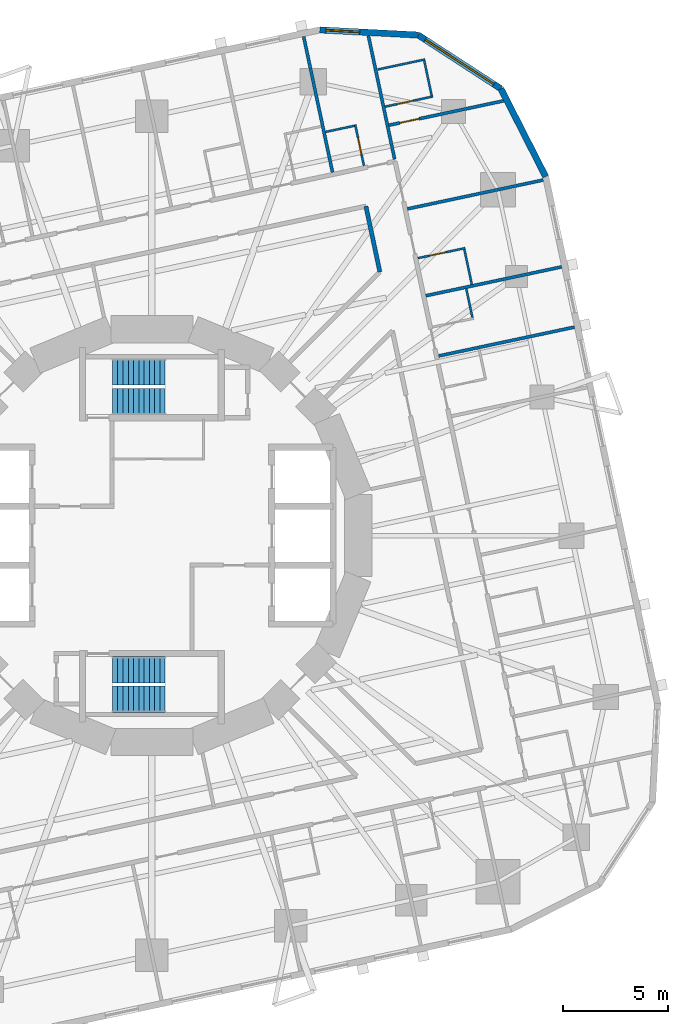
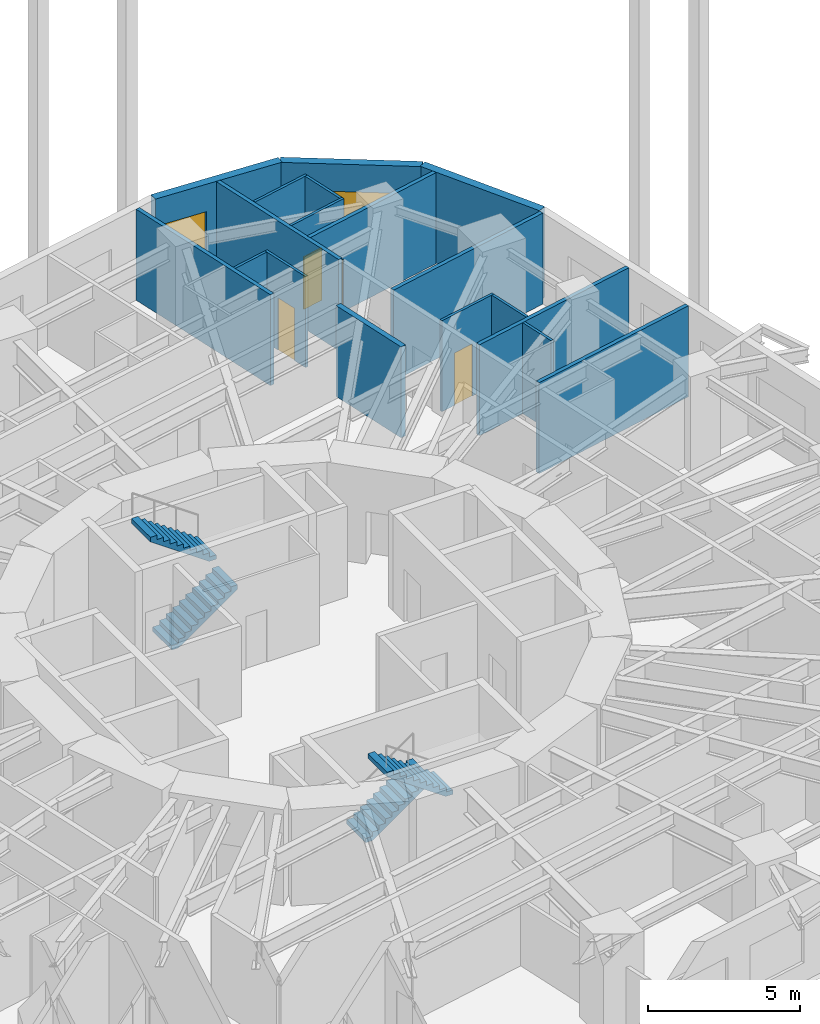
# One storey, part 11 of 12: 18 walls, 4 doors, 4 stair flights, 2 windows, 6 openings, 2 elements without a shape of their own.
"""IFC4 building model written with IfcOpenShell, lengths in metres."""

from ifc_helpers import new_model, si_unit, direction, frame, frame_2d, origin, place, context, subcontext, project, spatial, polyline, rectangle, outline, extrude, material, layer, layer_set, type_object, element, fill, aggregate, save


model = new_model("IFC4")

# Units and contexts
model_context = context("Model", 3, precision=1e-05, world=origin(), true_north=direction((0.0, 1.0)))
body_context = subcontext(model_context, "Body", "Model", "MODEL_VIEW")
ifc_project = project(units=[si_unit("LENGTHUNIT", "METRE"), si_unit("AREAUNIT", "SQUARE_METRE"), si_unit("VOLUMEUNIT", "CUBIC_METRE"), si_unit("PLANEANGLEUNIT", "RADIAN"), si_unit("MASSUNIT", "GRAM", prefix="KILO")], contexts=[model_context])

# Site, building, storey
site_placement = place(None, origin())
site = spatial("IfcSite", under=ifc_project, at=site_placement, CompositionType="ELEMENT")
building_placement = place(site_placement, origin())
building = spatial("IfcBuilding", under=site, at=building_placement, Name="Nakasero Lantern House", CompositionType="ELEMENT")
storey_placement = place(building_placement, frame((0.0, 0.0, 101.14990234375)))
storey = spatial("IfcBuildingStorey", under=building, at=storey_placement, Name="L24", CompositionType="ELEMENT", Elevation=101.14990234375)

# Walls
ifc_material_1 = material(Name="Blockwork", Category="masonry")
ifc_layer_1 = layer(ifc_material_1, 0.199951171875)
ifc_layer_set_1 = layer_set([ifc_layer_1], Name="Corridor wall 200")
wall_type_1 = type_object("IfcWallType", Name="Corridor wall 200", PredefinedType="PARTITIONING", material=ifc_layer_set_1)
wall_1_placement = place(storey_placement, frame((10.831787109375, 12.52880859375, 0.0), z_axis=(0.0, 0.0, 1.0), x_axis=(-0.2079382126, 0.978141962979, 0.0)))
element("IfcWall", 1, at=wall_1_placement, inside=storey, type_object=wall_type_1, Name="Corridor wall L24 IW0-1", PredefinedType="PARTITIONING", context=body_context, shape_type="SweptSolid", body=[
    extrude(rectangle(XDim=3.197021484375, YDim=0.199951171875, at=frame_2d((1.5986328125, 0.0))), origin(), (0.0, 0.0, 1.0), 3.650146484375),
])
ifc_material_2 = material(Name="Blockwork", Category="masonry")
ifc_layer_2 = layer(ifc_material_2, 0.10009765625)
ifc_layer_set_2 = layer_set([ifc_layer_2], Name="En-suite wall 100")
wall_type_2 = type_object("IfcWallType", Name="En-suite wall 100", PredefinedType="PARTITIONING", material=ifc_layer_set_2)
wall_2_placement = place(storey_placement, frame((15.228271484375, 10.36279296875, 0.0), z_axis=(0.0, 0.0, 1.0), x_axis=(-0.207873355681, 0.978155748334, 0.0)))
element("IfcWall", 2, at=wall_2_placement, inside=storey, type_object=wall_type_2, Name="En-suite wall L24 EE0-06", PredefinedType="PARTITIONING", context=body_context, shape_type="SweptSolid", body=[
    extrude(rectangle(XDim=1.39990234375, YDim=0.10009765625, at=frame_2d((0.699951171875, 0.0))), origin(), (0.0, 0.0, 1.0), 3.650146484375),
])

# Wall, opening, door
wall_3_placement = place(storey_placement, frame((12.634765625, 13.185302734375, 0.0), z_axis=(0.0, 0.0, 1.0), x_axis=(0.978141312374, 0.207941273027, 0.0)))
wall_3 = element("IfcWall", 3, at=wall_3_placement, inside=storey, type_object=wall_type_2, Name="En-suite wall L24 ES0-07", PredefinedType="PARTITIONING", context=body_context, shape_type="SweptSolid", body=[
    extrude(rectangle(XDim=2.300048828125, YDim=0.10009765625, at=frame_2d((1.14990234375, 0.0))), origin(), (0.0, 0.0, 1.0), 3.650146484375),
])
opening_1_placement = place(wall_3_placement, frame((0.550048828125, 0.0, 0.0)))
opening_1 = element("IfcOpeningElement", 4, at=opening_1_placement, cuts=wall_3, Name="Opening D02", PredefinedType="OPENING", context=body_context, shape_type="SweptSolid", body=[
    extrude(rectangle(XDim=0.800048828125, YDim=2.10009765625, at=frame_2d((0.39990234375, 1.050048828125))), frame((0.0, 0.070068359375, 0.0), z_axis=(0.0, -1.0, 0.0), x_axis=(1.0, 0.0, 0.0)), (0.0, 0.0, 1.0), 0.14013671875),
])
ifc_material_3 = material(Name="Timber C24", Category="wood")
door_type_1 = type_object("IfcDoorType", Name="En-suite door 800", OperationType="SINGLE_SWING_RIGHT", PredefinedType="DOOR", material=ifc_material_3)
door_1_placement = place(opening_1_placement, origin())
door_1 = element("IfcDoor", 5, at=door_1_placement, inside=storey, type_object=door_type_1, Name="Door L24 DE0-07", OperationType="SINGLE_SWING_LEFT", OverallHeight=2.10009765625, OverallWidth=0.800048828125, PredefinedType="DOOR", context=body_context, shape_type="SweptSolid", body=[
    extrude(rectangle(XDim=0.800048828125, YDim=2.10009765625, at=frame_2d((0.39990234375, 1.050048828125))), frame((0.0, 0.02490234375, 0.0), z_axis=(0.0, -1.0, 0.0), x_axis=(1.0, 0.0, 0.0)), (0.0, 0.0, 1.0), 0.050048828125),
])
fill(opening_1, door_1)

# Wall
wall_4_placement = place(storey_placement, frame((15.199462890625, 11.94140625, 0.0), z_axis=(0.0, 0.0, 1.0), x_axis=(-0.207949787024, 0.97813950236, 0.0)))
element("IfcWall", 6, at=wall_4_placement, inside=storey, type_object=wall_type_2, Name="En-suite wall L24 EE0-07", PredefinedType="PARTITIONING", context=body_context, shape_type="SweptSolid", body=[
    extrude(rectangle(XDim=1.699951171875, YDim=0.10009765625, at=frame_2d((0.85009765625, 0.0))), origin(), (0.0, 0.0, 1.0), 3.650146484375),
])

# Wall, opening, door
wall_5_placement = place(storey_placement, frame((11.069091796875, 20.382568359375, 0.0), z_axis=(0.0, 0.0, 1.0), x_axis=(0.978136257952, 0.207965047255, 0.0)))
wall_5 = element("IfcWall", 7, at=wall_5_placement, inside=storey, type_object=wall_type_2, Name="En-suite wall L24 ES0-08", PredefinedType="PARTITIONING", context=body_context, shape_type="SweptSolid", body=[
    extrude(rectangle(XDim=2.3349609375, YDim=0.10009765625, at=frame_2d((1.16748046875, 0.0))), origin(), (0.0, 0.0, 1.0), 3.650146484375),
])
opening_2_placement = place(wall_5_placement, frame((0.5849609375, 0.0, 0.0)))
opening_2 = element("IfcOpeningElement", 8, at=opening_2_placement, cuts=wall_5, Name="Opening D02", PredefinedType="OPENING", context=body_context, shape_type="SweptSolid", body=[
    extrude(rectangle(XDim=0.800048828125, YDim=2.10009765625, at=frame_2d((0.39990234375, 1.050048828125))), frame((0.0, 0.070068359375, 0.0), z_axis=(0.0, -1.0, 0.0), x_axis=(1.0, 0.0, 0.0)), (0.0, 0.0, 1.0), 0.14013671875),
])
door_2_placement = place(opening_2_placement, origin())
door_2 = element("IfcDoor", 9, at=door_2_placement, inside=storey, type_object=door_type_1, Name="Door L24 DE0-08", OperationType="SINGLE_SWING_LEFT", OverallHeight=2.10009765625, OverallWidth=0.800048828125, PredefinedType="DOOR", context=body_context, shape_type="SweptSolid", body=[
    extrude(rectangle(XDim=0.800048828125, YDim=2.10009765625, at=frame_2d((0.39990234375, 1.050048828125))), frame((0.0, 0.02490234375, 0.0), z_axis=(0.0, -1.0, 0.0), x_axis=(1.0, 0.0, 0.0)), (0.0, 0.0, 1.0), 0.050048828125),
])
fill(opening_2, door_2)

# Walls
wall_6_placement = place(storey_placement, frame((13.293701171875, 20.906494140625, 0.0), z_axis=(0.0, 0.0, 1.0), x_axis=(-0.207812379357, 0.978168704767, 0.0)))
element("IfcWall", 10, at=wall_6_placement, inside=storey, type_object=wall_type_2, Name="En-suite wall L24 EE0-08", PredefinedType="PARTITIONING", context=body_context, shape_type="SweptSolid", body=[
    extrude(rectangle(XDim=1.699951171875, YDim=0.10009765625, at=frame_2d((0.85009765625, 0.0))), origin(), (0.0, 0.0, 1.0), 3.650146484375),
])
wall_7_placement = place(storey_placement, frame((10.72900390625, 22.150634765625, 0.0), z_axis=(0.0, 0.0, 1.0), x_axis=(0.978162897375, 0.207839712757, 0.0)))
element("IfcWall", 11, at=wall_7_placement, inside=storey, type_object=wall_type_2, Name="En-suite wall L24 EV0-08", PredefinedType="PARTITIONING", context=body_context, shape_type="SweptSolid", body=[
    extrude(rectangle(XDim=2.300048828125, YDim=0.10009765625, at=frame_2d((1.14990234375, 0.0))), origin(), (0.0, 0.0, 1.0), 3.650146484375),
])

# Wall, opening, door
wall_8_placement = place(storey_placement, frame((10.07421875, 17.57861328125, 0.0), z_axis=(0.0, 0.0, 1.0), x_axis=(-0.207886494942, 0.978152955943, 0.0)))
wall_8 = element("IfcWall", 12, at=wall_8_placement, inside=storey, type_object=wall_type_2, Name="En-suite wall L24 ES1-00", PredefinedType="PARTITIONING", context=body_context, shape_type="SweptSolid", body=[
    extrude(rectangle(XDim=2.0, YDim=0.10009765625, at=frame_2d((1.0, 0.0))), origin(), (0.0, 0.0, 1.0), 3.650146484375),
])
opening_3_placement = place(wall_8_placement, frame((0.550048828125, 0.0, 0.0)))
opening_3 = element("IfcOpeningElement", 13, at=opening_3_placement, cuts=wall_8, Name="Opening D02", PredefinedType="OPENING", context=body_context, shape_type="SweptSolid", body=[
    extrude(rectangle(XDim=0.800048828125, YDim=2.10009765625, at=frame_2d((0.39990234375, 1.050048828125))), frame((0.0, 0.070068359375, 0.0), z_axis=(0.0, -1.0, 0.0), x_axis=(1.0, 0.0, 0.0)), (0.0, 0.0, 1.0), 0.14013671875),
])
door_3_placement = place(opening_3_placement, origin())
door_3 = element("IfcDoor", 14, at=door_3_placement, inside=storey, type_object=door_type_1, Name="Door L24 DE1-00", OperationType="SINGLE_SWING_LEFT", OverallHeight=2.10009765625, OverallWidth=0.800048828125, PredefinedType="DOOR", context=body_context, shape_type="SweptSolid", body=[
    extrude(rectangle(XDim=0.800048828125, YDim=2.10009765625, at=frame_2d((0.39990234375, 1.050048828125))), frame((0.0, 0.02490234375, 0.0), z_axis=(0.0, -1.0, 0.0), x_axis=(1.0, 0.0, 0.0)), (0.0, 0.0, 1.0), 0.050048828125),
])
fill(opening_3, door_3)

# Walls
wall_9_placement = place(storey_placement, frame((9.619873046875, 19.4755859375, 0.0), z_axis=(0.0, 0.0, 1.0), x_axis=(-0.978155748334, -0.207873355681, 0.0)))
element("IfcWall", 15, at=wall_9_placement, inside=storey, type_object=wall_type_2, Name="En-suite wall L24 EE1-00", PredefinedType="PARTITIONING", context=body_context, shape_type="SweptSolid", body=[
    extrude(rectangle(XDim=1.39990234375, YDim=0.10009765625, at=frame_2d((0.699951171875, 0.0))), origin(), (0.0, 0.0, 1.0), 3.650146484375),
])
ifc_material_4 = material(Name="Aluminium rainscreen on blockwork", Category="masonry")
ifc_layer_3 = layer(ifc_material_4, 0.300048828125)
ifc_layer_set_3 = layer_set([ifc_layer_3], Name="Facade wall 300")
wall_type_3 = type_object("IfcWallType", Name="Facade wall 300", PredefinedType="SOLIDWALL", material=ifc_layer_set_3)
wall_10_placement = place(storey_placement, frame((18.711181640625, 17.063232421875, 0.0), z_axis=(0.0, 0.0, 1.0), x_axis=(-0.453975745332, 0.89101404178, 0.0)))
element("IfcWall", 16, at=wall_10_placement, inside=storey, type_object=wall_type_3, Name="Facade wall L24 FW0C1", PredefinedType="SOLIDWALL", context=body_context, shape_type="SweptSolid", body=[
    extrude(rectangle(XDim=4.6845703125, YDim=0.300048828125, at=frame_2d((2.34228515625, 0.0))), origin(), (0.0, 0.0, 1.0), 3.650146484375),
])

# Wall, opening, window
wall_11_placement = place(storey_placement, frame((16.58447265625, 21.2373046875, 0.0), z_axis=(0.0, 0.0, 1.0), x_axis=(-0.838692381994, 0.544605442853, 0.0)))
wall_11 = element("IfcWall", 17, at=wall_11_placement, inside=storey, type_object=wall_type_3, Name="Facade wall L24 FW0C2", PredefinedType="SOLIDWALL", context=body_context, shape_type="SweptSolid", body=[
    extrude(rectangle(XDim=4.6845703125, YDim=0.300048828125, at=frame_2d((2.34228515625, 0.0))), origin(), (0.0, 0.0, 1.0), 3.650146484375),
])
opening_4_placement = place(wall_11_placement, frame((0.39990234375, 0.0, 0.75)))
opening_4 = element("IfcOpeningElement", 18, at=opening_4_placement, cuts=wall_11, Name="Opening W238", PredefinedType="OPENING", context=body_context, shape_type="SweptSolid", body=[
    extrude(rectangle(XDim=3.885009765625, YDim=1.800048828125, at=frame_2d((1.9423828125, 0.89990234375))), frame((0.0, 0.169921875, 0.0), z_axis=(0.0, -1.0, 0.0), x_axis=(1.0, 0.0, 0.0)), (0.0, 0.0, 1.0), 0.340087890625),
])
ifc_material_5 = material(Name="Aluminium 6063-T6 and glass", Category="aluminium")
window_type_1 = type_object("IfcWindowType", Name="Corner window 3885x1800", PartitioningType="SINGLE_PANEL", PredefinedType="WINDOW", material=ifc_material_5)
window_1_placement = place(opening_4_placement, origin())
window_1 = element("IfcWindow", 19, at=window_1_placement, inside=storey, type_object=window_type_1, Name="Window L24 WC0", OverallHeight=1.800048828125, OverallWidth=3.885009765625, PartitioningType="SINGLE_PANEL", PredefinedType="WINDOW", context=body_context, shape_type="SweptSolid", body=[
    extrude(rectangle(XDim=3.885009765625, YDim=1.800048828125, at=frame_2d((1.9423828125, 0.89990234375))), frame((0.0, 0.030029296875, 0.0), z_axis=(0.0, -1.0, 0.0), x_axis=(1.0, 0.0, 0.0)), (0.0, 0.0, 1.0), 0.06005859375),
])
fill(opening_4, window_1)

wall_12_placement = place(storey_placement, frame((12.655517578125, 23.78857421875, 0.0), z_axis=(0.0, 0.0, 1.0), x_axis=(-0.998630039879, 0.052326317, 0.0)))
wall_12 = element("IfcWall", 20, at=wall_12_placement, inside=storey, type_object=wall_type_3, Name="Facade wall L24 FW0C3", PredefinedType="SOLIDWALL", context=body_context, shape_type="SweptSolid", body=[
    extrude(rectangle(XDim=4.684326171875, YDim=0.300048828125, at=frame_2d((2.34228515625, 0.0))), origin(), (0.0, 0.0, 1.0), 3.650146484375),
])
opening_5_placement = place(wall_12_placement, frame((2.784912109375, 0.0, 0.75)))
opening_5 = element("IfcOpeningElement", 21, at=opening_5_placement, cuts=wall_12, Name="Opening W01", PredefinedType="OPENING", context=body_context, shape_type="SweptSolid", body=[
    extrude(rectangle(XDim=1.60009765625, YDim=1.800048828125, at=frame_2d((0.800048828125, 0.89990234375))), frame((0.0, 0.169921875, 0.0), z_axis=(0.0, -1.0, 0.0), x_axis=(1.0, 0.0, 0.0)), (0.0, 0.0, 1.0), 0.340087890625),
])
ifc_material_6 = material(Name="Aluminium 6063-T6 and glass", Category="aluminium")
window_type_2 = type_object("IfcWindowType", Name="Bedroom window 1600x1800", PartitioningType="SINGLE_PANEL", PredefinedType="WINDOW", material=ifc_material_6)
window_2_placement = place(opening_5_placement, origin())
window_2 = element("IfcWindow", 22, at=window_2_placement, inside=storey, type_object=window_type_2, Name="Window L24 WN1-00", OverallHeight=1.800048828125, OverallWidth=1.60009765625, PartitioningType="SINGLE_PANEL", PredefinedType="WINDOW", context=body_context, shape_type="SweptSolid", body=[
    extrude(rectangle(XDim=1.60009765625, YDim=1.800048828125, at=frame_2d((0.800048828125, 0.89990234375))), frame((0.0, 0.030029296875, 0.0), z_axis=(0.0, -1.0, 0.0), x_axis=(1.0, 0.0, 0.0)), (0.0, 0.0, 1.0), 0.06005859375),
])
fill(opening_5, window_2)

# Walls
ifc_material_7 = material(Name="Blockwork", Category="masonry")
ifc_layer_4 = layer(ifc_material_7, 0.14990234375)
ifc_layer_set_4 = layer_set([ifc_layer_4], Name="Party wall 150")
wall_type_4 = type_object("IfcWallType", Name="Party wall 150", PredefinedType="PARTITIONING", material=ifc_layer_set_4)
for number, where, z_axis, x_axis, name in (
    (23, (13.62255859375, 8.537841796875, 0.0), (0.0, 0.0, 1.0), (0.97815236361, 0.207889281984, 0.0), "Party wall L24 PW0-06"),
    (24, (13.01416015625, 11.400146484375, 0.0), (0.0, 0.0, 1.0), (0.978144841009, 0.207924673876, 0.0), "Party wall L24 PW0-07"),
    (25, (12.13720703125, 15.526123046875, 0.0), (0.0, 0.0, 1.0), (0.978144841009, 0.207924673876, 0.0), "Party wall L24 PW0-08"),
):
    element("IfcWall", number, at=place(storey_placement, frame(where, z_axis=z_axis, x_axis=x_axis)), inside=storey, type_object=wall_type_4, Name=name, PredefinedType="PARTITIONING", context=body_context, shape_type="SweptSolid", body=[
        extrude(rectangle(XDim=6.60009765625, YDim=0.14990234375, at=frame_2d((3.300048828125, 0.0))), origin(), (0.0, 0.0, 1.0), 3.650146484375),
    ])

# Wall, opening, door
wall_13_placement = place(storey_placement, frame((11.256103515625, 19.502197265625, 0.0), z_axis=(0.0, 0.0, 1.0), x_axis=(0.978142361087, 0.207936339891, 0.0)))
wall_13 = element("IfcWall", 26, at=wall_13_placement, inside=storey, type_object=wall_type_4, Name="Party wall L24 PC0", PredefinedType="PARTITIONING", context=body_context, shape_type="SweptSolid", body=[
    extrude(rectangle(XDim=5.570068359375, YDim=0.14990234375, at=frame_2d((2.78515625, 0.0))), origin(), (0.0, 0.0, 1.0), 3.650146484375),
])
opening_6_placement = place(wall_13_placement, frame((0.534912109375, 0.0, 0.0)))
opening_6 = element("IfcOpeningElement", 27, at=opening_6_placement, cuts=wall_13, Name="Opening D01", PredefinedType="OPENING", context=body_context, shape_type="SweptSolid", body=[
    extrude(rectangle(XDim=0.949951171875, YDim=2.10009765625, at=frame_2d((0.47509765625, 1.050048828125))), frame((0.0, 0.094970703125, 0.0), z_axis=(0.0, -1.0, 0.0), x_axis=(1.0, 0.0, 0.0)), (0.0, 0.0, 1.0), 0.18994140625),
])
ifc_material_8 = material(Name="Timber C24", Category="wood")
door_type_2 = type_object("IfcDoorType", Name="Bedroom door FD30S 950", OperationType="SINGLE_SWING_LEFT", PredefinedType="DOOR", material=ifc_material_8)
door_4_placement = place(opening_6_placement, origin())
door_4 = element("IfcDoor", 28, at=door_4_placement, inside=storey, type_object=door_type_2, Name="Door L24 DC0", OperationType="SINGLE_SWING_LEFT", OverallHeight=2.10009765625, OverallWidth=0.949951171875, PredefinedType="DOOR", context=body_context, shape_type="SweptSolid", body=[
    extrude(rectangle(XDim=0.949951171875, YDim=2.10009765625, at=frame_2d((0.47509765625, 1.050048828125))), frame((0.0, 0.02490234375, 0.0), z_axis=(0.0, -1.0, 0.0), x_axis=(1.0, 0.0, 0.0)), (0.0, 0.0, 1.0), 0.050048828125),
])
fill(opening_6, door_4)

# Walls
wall_14_placement = place(storey_placement, frame((11.53271484375, 17.888671875, 0.0), z_axis=(0.0, 0.0, 1.0), x_axis=(-0.207886494942, 0.978152955943, 0.0)))
element("IfcWall", 29, at=wall_14_placement, inside=storey, type_object=wall_type_4, Name="Party wall L24 PW1-00", PredefinedType="PARTITIONING", context=body_context, shape_type="SweptSolid", body=[
    extrude(rectangle(XDim=6.0, YDim=0.14990234375, at=frame_2d((3.0, 0.0))), origin(), (0.0, 0.0, 1.0), 3.650146484375),
])
wall_15_placement = place(storey_placement, frame((8.58251953125, 17.26171875, 0.0), z_axis=(0.0, 0.0, 1.0), x_axis=(-0.207932197326, 0.978143241716, 0.0)))
element("IfcWall", 30, at=wall_15_placement, inside=storey, type_object=wall_type_4, Name="Party wall L24 PW1-01", PredefinedType="PARTITIONING", context=body_context, shape_type="SweptSolid", body=[
    extrude(rectangle(XDim=6.599853515625, YDim=0.14990234375, at=frame_2d((3.2998046875, 0.0))), origin(), (0.0, 0.0, 1.0), 3.650146484375),
])

# Stair, stair flights
ifc_material_9 = material(Name="Concrete C40/50", Category="concrete")
stair_type_1 = type_object("IfcStairType", Name="Escape stair ST1 22 risers", PredefinedType="HALF_TURN_STAIR", material=ifc_material_9)
stair_1_placement = place(storey_placement, origin())
stair_1 = element("IfcStair", 31, at=stair_1_placement, inside=storey, type_object=stair_type_1, Name="Escape stair ST1 L24", PredefinedType="HALF_TURN_STAIR")
ifc_material_10 = material(Name="Concrete C40/50", Category="concrete")
stair_flight_type = type_object("IfcStairFlightType", Name="Escape stair flight", PredefinedType="STRAIGHT", material=ifc_material_10)
stair_flight_1_placement = place(storey_placement, frame((-1.875, 6.375, 0.0), z_axis=(0.0, 0.0, 1.0), x_axis=(1.0, 0.0, 0.0)))
stair_flight_1 = element("IfcStairFlight", 32, at=stair_flight_1_placement, type_object=stair_flight_type, Name="ST1 flight 1", NumberOfRisers=11, NumberOfTreads=10, PredefinedType="STRAIGHT", RiserHeight=0.175, TreadLength=0.25, context=body_context, shape_type="SweptSolid", body=[
    extrude(outline(polyline([(0.0, 0.0), (0.0, 0.175048828125), (0.25, 0.175048828125), (0.25, 0.35009765625), (0.5, 0.35009765625), (0.5, 0.52490234375), (0.75, 0.52490234375), (0.75, 0.699951171875), (1.0, 0.699951171875), (1.0, 0.875), (1.25, 0.875), (1.25, 1.050048828125), (1.5, 1.050048828125), (1.5, 1.22509765625), (1.75, 1.22509765625), (1.75, 1.39990234375), (2.0, 1.39990234375), (2.0, 1.574951171875), (2.25, 1.574951171875), (2.25, 1.75), (2.5, 1.75), (2.5, 1.925048828125), (2.5, 1.567138671875), (0.261474609375, 0.0), (0.0, 0.0)])), frame((0.0, 0.625, 0.0), z_axis=(0.0, -1.0, 0.0), x_axis=(1.0, 0.0, 0.0)), (0.0, 0.0, 1.0), 1.25),
])
stair_flight_2_placement = place(storey_placement, frame((0.625, 7.77490234375, 1.925048828125), z_axis=(0.0, 0.0, 1.0), x_axis=(-1.0, 0.0, 0.0)))
stair_flight_2 = element("IfcStairFlight", 33, at=stair_flight_2_placement, type_object=stair_flight_type, Name="ST1 flight 2", NumberOfRisers=11, NumberOfTreads=10, PredefinedType="STRAIGHT", RiserHeight=0.175, TreadLength=0.25, context=body_context, shape_type="SweptSolid", body=[
    extrude(outline(polyline([(0.0, 0.0), (0.0, 0.175048828125), (0.25, 0.175048828125), (0.25, 0.35009765625), (0.5, 0.35009765625), (0.5, 0.52490234375), (0.75, 0.52490234375), (0.75, 0.699951171875), (1.0, 0.699951171875), (1.0, 0.875), (1.25, 0.875), (1.25, 1.050048828125), (1.5, 1.050048828125), (1.5, 1.22509765625), (1.75, 1.22509765625), (1.75, 1.39990234375), (2.0, 1.39990234375), (2.0, 1.574951171875), (2.25, 1.574951171875), (2.25, 1.75), (2.5, 1.75), (2.5, 1.925048828125), (2.5, 1.567138671875), (0.261474609375, 0.0), (0.0, 0.0)])), frame((0.0, 0.625, 0.0), z_axis=(0.0, -1.0, 0.0), x_axis=(1.0, 0.0, 0.0)), (0.0, 0.0, 1.0), 1.25),
])
aggregate(stair_1, [stair_flight_1, stair_flight_2])

ifc_material_11 = material(Name="Concrete C40/50", Category="concrete")
stair_type_2 = type_object("IfcStairType", Name="Escape stair ST2 22 risers", PredefinedType="HALF_TURN_STAIR", material=ifc_material_11)
stair_2_placement = place(storey_placement, origin())
stair_2 = element("IfcStair", 34, at=stair_2_placement, inside=storey, type_object=stair_type_2, Name="Escape stair ST2 L24", PredefinedType="HALF_TURN_STAIR")
stair_flight_3_placement = place(storey_placement, frame((-1.875, -6.375, 0.0), z_axis=(0.0, 0.0, 1.0), x_axis=(1.0, 0.0, 0.0)))
stair_flight_3 = element("IfcStairFlight", 35, at=stair_flight_3_placement, type_object=stair_flight_type, Name="ST2 flight 1", NumberOfRisers=11, NumberOfTreads=10, PredefinedType="STRAIGHT", RiserHeight=0.175, TreadLength=0.25, context=body_context, shape_type="SweptSolid", body=[
    extrude(outline(polyline([(0.0, 0.0), (0.0, 0.175048828125), (0.25, 0.175048828125), (0.25, 0.35009765625), (0.5, 0.35009765625), (0.5, 0.52490234375), (0.75, 0.52490234375), (0.75, 0.699951171875), (1.0, 0.699951171875), (1.0, 0.875), (1.25, 0.875), (1.25, 1.050048828125), (1.5, 1.050048828125), (1.5, 1.22509765625), (1.75, 1.22509765625), (1.75, 1.39990234375), (2.0, 1.39990234375), (2.0, 1.574951171875), (2.25, 1.574951171875), (2.25, 1.75), (2.5, 1.75), (2.5, 1.925048828125), (2.5, 1.567138671875), (0.261474609375, 0.0), (0.0, 0.0)])), frame((0.0, 0.625, 0.0), z_axis=(0.0, -1.0, 0.0), x_axis=(1.0, 0.0, 0.0)), (0.0, 0.0, 1.0), 1.25),
])
stair_flight_4_placement = place(storey_placement, frame((0.625, -7.77490234375, 1.925048828125), z_axis=(0.0, 0.0, 1.0), x_axis=(-1.0, 0.0, 0.0)))
stair_flight_4 = element("IfcStairFlight", 36, at=stair_flight_4_placement, type_object=stair_flight_type, Name="ST2 flight 2", NumberOfRisers=11, NumberOfTreads=10, PredefinedType="STRAIGHT", RiserHeight=0.175, TreadLength=0.25, context=body_context, shape_type="SweptSolid", body=[
    extrude(outline(polyline([(0.0, 0.0), (0.0, 0.175048828125), (0.25, 0.175048828125), (0.25, 0.35009765625), (0.5, 0.35009765625), (0.5, 0.52490234375), (0.75, 0.52490234375), (0.75, 0.699951171875), (1.0, 0.699951171875), (1.0, 0.875), (1.25, 0.875), (1.25, 1.050048828125), (1.5, 1.050048828125), (1.5, 1.22509765625), (1.75, 1.22509765625), (1.75, 1.39990234375), (2.0, 1.39990234375), (2.0, 1.574951171875), (2.25, 1.574951171875), (2.25, 1.75), (2.5, 1.75), (2.5, 1.925048828125), (2.5, 1.567138671875), (0.261474609375, 0.0), (0.0, 0.0)])), frame((0.0, 0.625, 0.0), z_axis=(0.0, -1.0, 0.0), x_axis=(1.0, 0.0, 0.0)), (0.0, 0.0, 1.0), 1.25),
])
aggregate(stair_2, [stair_flight_3, stair_flight_4])

save(model, "model.ifc")
